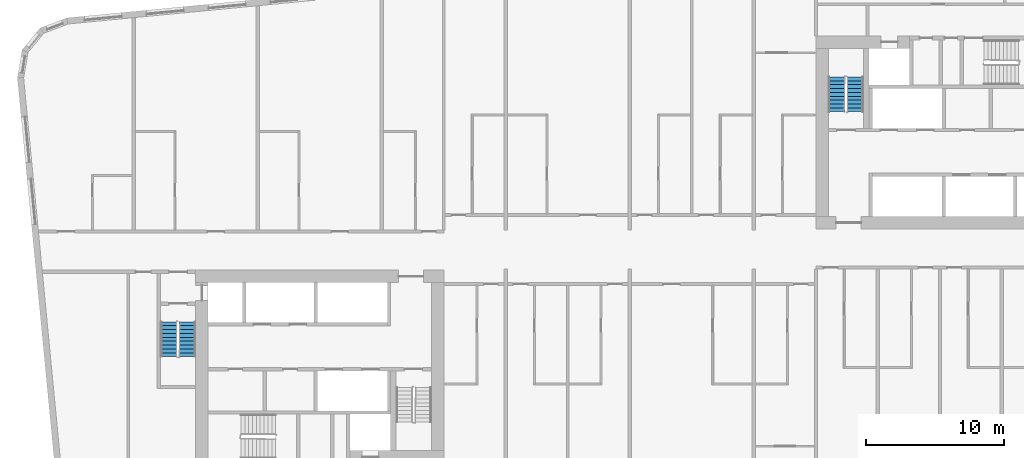
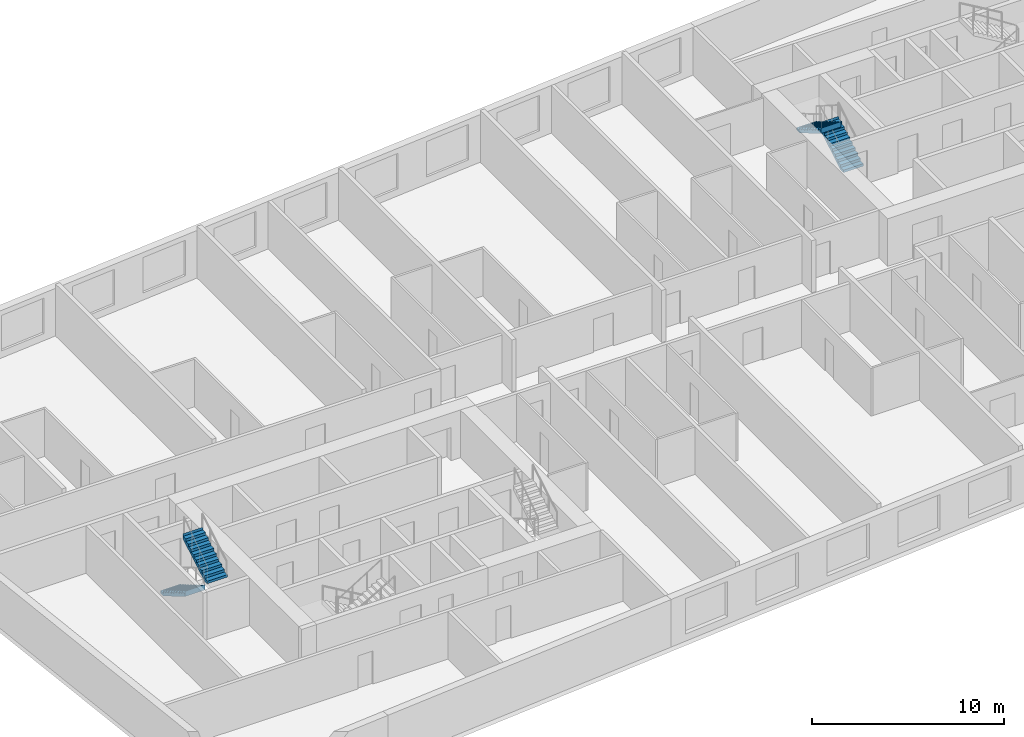
# One storey, part 10 of 12: 4 stair flights, 2 elements without a shape of their own.
"""IFC4 building model written with IfcOpenShell, lengths in metres."""

from ifc_helpers import new_model, si_unit, direction, frame, origin, place, context, subcontext, project, spatial, faceted_brep, material, type_object, element, aggregate, save


model = new_model("IFC4")

# Units and contexts
model_context = context("Model", 3, precision=1e-05, world=origin(), true_north=direction((0.0, 1.0)))
body_context = subcontext(model_context, "Body", "Model", "MODEL_VIEW")
ifc_project = project(units=[si_unit("LENGTHUNIT", "METRE"), si_unit("AREAUNIT", "SQUARE_METRE"), si_unit("VOLUMEUNIT", "CUBIC_METRE"), si_unit("PLANEANGLEUNIT", "RADIAN"), si_unit("MASSUNIT", "GRAM", prefix="KILO")], contexts=[model_context])

# Site, building, storey
site_placement = place(None, origin())
site = spatial("IfcSite", under=ifc_project, at=site_placement, CompositionType="ELEMENT")
building_placement = place(site_placement, origin())
building = spatial("IfcBuilding", under=site, at=building_placement, Name="Kajstack Hotel Tower", CompositionType="ELEMENT")
storey_placement = place(building_placement, frame((0.0, 0.0, 193.300048828125)))
storey = spatial("IfcBuildingStorey", under=building, at=storey_placement, Name="L46", CompositionType="ELEMENT", Elevation=193.300048828125)

# Stair, stair flights
ifc_material = material(Name="Concrete C40/50", Category="concrete")
stair_type = type_object("IfcStairType", Name="Exit stair 1200", PredefinedType="HALF_TURN_STAIR", material=ifc_material)
stair_1_placement = place(storey_placement, origin())
stair_1 = element("IfcStair", 1, at=stair_1_placement, inside=storey, type_object=stair_type, Name="L46 stair W1", PredefinedType="HALF_TURN_STAIR")
stair_flight_type = type_object("IfcStairFlightType", Name="Exit stair flight 1200", PredefinedType="STRAIGHT", material=ifc_material)
stair_flight_1_placement = place(storey_placement, frame((-33.449951171875, -5.25, 0.0), z_axis=(0.0, 0.0, 1.0), x_axis=(0.0, -1.0, 0.0)))
stair_flight_1 = element("IfcStairFlight", 2, at=stair_flight_1_placement, type_object=stair_flight_type, Name="W1 flight 1", NumberOfRisers=10, NumberOfTreads=9, PredefinedType="STRAIGHT", RiserHeight=0.165, TreadLength=0.28, context=body_context, shape_type="Brep", body=[
    faceted_brep([(0.295654296875, -0.60009765625, 0.0), (2.5205078125, -0.60009765625, 1.31103515625), (2.5205078125, -0.60009765625, 1.64990234375), (2.52001953125, -0.60009765625, 1.64990234375), (2.52001953125, -0.60009765625, 1.485107421875), (2.239990234375, -0.60009765625, 1.485107421875), (2.239990234375, -0.60009765625, 1.320068359375), (1.9599609375, -0.60009765625, 1.320068359375), (1.9599609375, -0.60009765625, 1.155029296875), (1.679931640625, -0.60009765625, 1.155029296875), (1.679931640625, -0.60009765625, 0.989990234375), (1.39990234375, -0.60009765625, 0.989990234375), (1.39990234375, -0.60009765625, 0.824951171875), (1.1201171875, -0.60009765625, 0.824951171875), (1.1201171875, -0.60009765625, 0.659912109375), (0.840087890625, -0.60009765625, 0.659912109375), (0.840087890625, -0.60009765625, 0.4951171875), (0.56005859375, -0.60009765625, 0.4951171875), (0.56005859375, -0.60009765625, 0.330078125), (0.280029296875, -0.60009765625, 0.330078125), (0.280029296875, -0.60009765625, 0.1650390625), (-0.00048828125, -0.60009765625, 0.1650390625), (-0.00048828125, -0.60009765625, 0.0), (-0.00048828125, 0.60009765625, 0.0), (-0.00048828125, 0.60009765625, 0.1650390625), (0.280029296875, 0.60009765625, 0.1650390625), (0.280029296875, 0.60009765625, 0.330078125), (0.56005859375, 0.60009765625, 0.330078125), (0.56005859375, 0.60009765625, 0.4951171875), (0.840087890625, 0.60009765625, 0.4951171875), (0.840087890625, 0.60009765625, 0.659912109375), (1.1201171875, 0.60009765625, 0.659912109375), (1.1201171875, 0.60009765625, 0.824951171875), (1.39990234375, 0.60009765625, 0.824951171875), (1.39990234375, 0.60009765625, 0.989990234375), (1.679931640625, 0.60009765625, 0.989990234375), (1.679931640625, 0.60009765625, 1.155029296875), (1.9599609375, 0.60009765625, 1.155029296875), (1.9599609375, 0.60009765625, 1.320068359375), (2.239990234375, 0.60009765625, 1.320068359375), (2.239990234375, 0.60009765625, 1.485107421875), (2.52001953125, 0.60009765625, 1.485107421875), (2.52001953125, 0.60009765625, 1.64990234375), (2.5205078125, 0.60009765625, 1.64990234375), (2.5205078125, 0.60009765625, 1.31103515625), (0.295654296875, 0.60009765625, 0.0), (-0.00048828125, -0.300048828125, 0.1650390625), (-0.00048828125, 0.0, 0.1650390625), (-0.00048828125, 0.300048828125, 0.1650390625), (-0.00048828125, 0.300048828125, 0.0), (-0.00048828125, 0.0, 0.0), (-0.00048828125, -0.300048828125, 0.0), (0.280029296875, -0.300048828125, 0.1650390625), (0.280029296875, 0.0, 0.1650390625), (0.280029296875, 0.300048828125, 0.1650390625), (0.280029296875, -0.300048828125, 0.330078125), (0.280029296875, 0.0, 0.330078125), (0.280029296875, 0.300048828125, 0.330078125), (0.56005859375, -0.300048828125, 0.330078125), (0.56005859375, 0.0, 0.330078125), (0.56005859375, 0.300048828125, 0.330078125), (0.56005859375, -0.300048828125, 0.4951171875), (0.56005859375, 0.0, 0.4951171875), (0.56005859375, 0.300048828125, 0.4951171875), (0.840087890625, -0.300048828125, 0.4951171875), (0.840087890625, 0.0, 0.4951171875), (0.840087890625, 0.300048828125, 0.4951171875), (0.840087890625, -0.300048828125, 0.659912109375), (0.840087890625, 0.0, 0.659912109375), (0.840087890625, 0.300048828125, 0.659912109375), (1.1201171875, -0.300048828125, 0.659912109375), (1.1201171875, 0.0, 0.659912109375), (1.1201171875, 0.300048828125, 0.659912109375), (1.1201171875, -0.300048828125, 0.824951171875), (1.1201171875, 0.0, 0.824951171875), (1.1201171875, 0.300048828125, 0.824951171875), (1.39990234375, -0.300048828125, 0.824951171875), (1.39990234375, 0.0, 0.824951171875), (1.39990234375, 0.300048828125, 0.824951171875), (1.39990234375, -0.300048828125, 0.989990234375), (1.39990234375, 0.0, 0.989990234375), (1.39990234375, 0.300048828125, 0.989990234375), (1.679931640625, -0.300048828125, 0.989990234375), (1.679931640625, 0.0, 0.989990234375), (1.679931640625, 0.300048828125, 0.989990234375), (1.679931640625, -0.300048828125, 1.155029296875), (1.679931640625, 0.0, 1.155029296875), (1.679931640625, 0.300048828125, 1.155029296875), (1.9599609375, -0.300048828125, 1.155029296875), (1.9599609375, 0.0, 1.155029296875), (1.9599609375, 0.300048828125, 1.155029296875), (1.9599609375, -0.300048828125, 1.320068359375), (1.9599609375, 0.0, 1.320068359375), (1.9599609375, 0.300048828125, 1.320068359375), (2.239990234375, -0.300048828125, 1.320068359375), (2.239990234375, 0.0, 1.320068359375), (2.239990234375, 0.300048828125, 1.320068359375), (2.239990234375, -0.300048828125, 1.485107421875), (2.239990234375, 0.0, 1.485107421875), (2.239990234375, 0.300048828125, 1.485107421875), (2.52001953125, -0.300048828125, 1.485107421875), (2.52001953125, 0.0, 1.485107421875), (2.52001953125, 0.300048828125, 1.485107421875), (2.52001953125, -0.300048828125, 1.64990234375), (2.52001953125, 0.0, 1.64990234375), (2.52001953125, 0.300048828125, 1.64990234375), (2.5205078125, -0.300048828125, 1.64990234375), (2.5205078125, 0.0, 1.64990234375), (2.5205078125, 0.300048828125, 1.64990234375), (2.5205078125, -0.300048828125, 1.31103515625), (2.5205078125, 0.0, 1.31103515625), (2.5205078125, 0.300048828125, 1.31103515625), (0.295654296875, -0.300048828125, 0.0), (0.295654296875, 0.0, 0.0), (0.295654296875, 0.300048828125, 0.0)], [[[0, 1, 2, 3, 4, 5, 6, 7, 8, 9, 10, 11, 12, 13, 14, 15, 16, 17, 18, 19, 20, 21, 22]], [[23, 24, 25, 26, 27, 28, 29, 30, 31, 32, 33, 34, 35, 36, 37, 38, 39, 40, 41, 42, 43, 44, 45]], [[21, 46, 47, 48, 24, 23, 49, 50, 51, 22]], [[20, 52, 53, 54, 25, 24, 48, 47, 46, 21]], [[19, 55, 56, 57, 26, 25, 54, 53, 52, 20]], [[18, 58, 59, 60, 27, 26, 57, 56, 55, 19]], [[17, 61, 62, 63, 28, 27, 60, 59, 58, 18]], [[16, 64, 65, 66, 29, 28, 63, 62, 61, 17]], [[15, 67, 68, 69, 30, 29, 66, 65, 64, 16]], [[14, 70, 71, 72, 31, 30, 69, 68, 67, 15]], [[13, 73, 74, 75, 32, 31, 72, 71, 70, 14]], [[12, 76, 77, 78, 33, 32, 75, 74, 73, 13]], [[11, 79, 80, 81, 34, 33, 78, 77, 76, 12]], [[10, 82, 83, 84, 35, 34, 81, 80, 79, 11]], [[9, 85, 86, 87, 36, 35, 84, 83, 82, 10]], [[8, 88, 89, 90, 37, 36, 87, 86, 85, 9]], [[7, 91, 92, 93, 38, 37, 90, 89, 88, 8]], [[6, 94, 95, 96, 39, 38, 93, 92, 91, 7]], [[5, 97, 98, 99, 40, 39, 96, 95, 94, 6]], [[4, 100, 101, 102, 41, 40, 99, 98, 97, 5]], [[3, 103, 104, 105, 42, 41, 102, 101, 100, 4]], [[2, 106, 107, 108, 43, 42, 105, 104, 103, 3]], [[1, 109, 110, 111, 44, 43, 108, 107, 106, 2]], [[0, 112, 113, 114, 45, 44, 111, 110, 109, 1]], [[22, 51, 50, 49, 23, 45, 114, 113, 112, 0]]]),
])
stair_flight_2_placement = place(storey_placement, frame((-32.10009765625, -7.77001953125, 1.64990234375), z_axis=(0.0, 0.0, 1.0), x_axis=(0.0, 1.0, 0.0)))
stair_flight_2 = element("IfcStairFlight", 3, at=stair_flight_2_placement, type_object=stair_flight_type, Name="W1 flight 2", NumberOfRisers=10, NumberOfTreads=9, PredefinedType="STRAIGHT", RiserHeight=0.165, TreadLength=0.28, context=body_context, shape_type="Brep", body=[
    faceted_brep([(0.295654296875, -0.60009765625, 0.0), (2.5205078125, -0.60009765625, 1.31103515625), (2.5205078125, -0.60009765625, 1.64990234375), (2.52001953125, -0.60009765625, 1.64990234375), (2.52001953125, -0.60009765625, 1.485107421875), (2.239990234375, -0.60009765625, 1.485107421875), (2.239990234375, -0.60009765625, 1.320068359375), (1.9599609375, -0.60009765625, 1.320068359375), (1.9599609375, -0.60009765625, 1.155029296875), (1.679931640625, -0.60009765625, 1.155029296875), (1.679931640625, -0.60009765625, 0.989990234375), (1.39990234375, -0.60009765625, 0.989990234375), (1.39990234375, -0.60009765625, 0.824951171875), (1.1201171875, -0.60009765625, 0.824951171875), (1.1201171875, -0.60009765625, 0.659912109375), (0.840087890625, -0.60009765625, 0.659912109375), (0.840087890625, -0.60009765625, 0.4951171875), (0.56005859375, -0.60009765625, 0.4951171875), (0.56005859375, -0.60009765625, 0.330078125), (0.280029296875, -0.60009765625, 0.330078125), (0.280029296875, -0.60009765625, 0.1650390625), (-0.00048828125, -0.60009765625, 0.1650390625), (-0.00048828125, -0.60009765625, 0.0), (-0.00048828125, 0.60009765625, 0.0), (-0.00048828125, 0.60009765625, 0.1650390625), (0.280029296875, 0.60009765625, 0.1650390625), (0.280029296875, 0.60009765625, 0.330078125), (0.56005859375, 0.60009765625, 0.330078125), (0.56005859375, 0.60009765625, 0.4951171875), (0.840087890625, 0.60009765625, 0.4951171875), (0.840087890625, 0.60009765625, 0.659912109375), (1.1201171875, 0.60009765625, 0.659912109375), (1.1201171875, 0.60009765625, 0.824951171875), (1.39990234375, 0.60009765625, 0.824951171875), (1.39990234375, 0.60009765625, 0.989990234375), (1.679931640625, 0.60009765625, 0.989990234375), (1.679931640625, 0.60009765625, 1.155029296875), (1.9599609375, 0.60009765625, 1.155029296875), (1.9599609375, 0.60009765625, 1.320068359375), (2.239990234375, 0.60009765625, 1.320068359375), (2.239990234375, 0.60009765625, 1.485107421875), (2.52001953125, 0.60009765625, 1.485107421875), (2.52001953125, 0.60009765625, 1.64990234375), (2.5205078125, 0.60009765625, 1.64990234375), (2.5205078125, 0.60009765625, 1.31103515625), (0.295654296875, 0.60009765625, 0.0), (-0.00048828125, -0.300048828125, 0.1650390625), (-0.00048828125, 0.0, 0.1650390625), (-0.00048828125, 0.300048828125, 0.1650390625), (-0.00048828125, 0.300048828125, 0.0), (-0.00048828125, 0.0, 0.0), (-0.00048828125, -0.300048828125, 0.0), (0.280029296875, -0.300048828125, 0.1650390625), (0.280029296875, 0.0, 0.1650390625), (0.280029296875, 0.300048828125, 0.1650390625), (0.280029296875, -0.300048828125, 0.330078125), (0.280029296875, 0.0, 0.330078125), (0.280029296875, 0.300048828125, 0.330078125), (0.56005859375, -0.300048828125, 0.330078125), (0.56005859375, 0.0, 0.330078125), (0.56005859375, 0.300048828125, 0.330078125), (0.56005859375, -0.300048828125, 0.4951171875), (0.56005859375, 0.0, 0.4951171875), (0.56005859375, 0.300048828125, 0.4951171875), (0.840087890625, -0.300048828125, 0.4951171875), (0.840087890625, 0.0, 0.4951171875), (0.840087890625, 0.300048828125, 0.4951171875), (0.840087890625, -0.300048828125, 0.659912109375), (0.840087890625, 0.0, 0.659912109375), (0.840087890625, 0.300048828125, 0.659912109375), (1.1201171875, -0.300048828125, 0.659912109375), (1.1201171875, 0.0, 0.659912109375), (1.1201171875, 0.300048828125, 0.659912109375), (1.1201171875, -0.300048828125, 0.824951171875), (1.1201171875, 0.0, 0.824951171875), (1.1201171875, 0.300048828125, 0.824951171875), (1.39990234375, -0.300048828125, 0.824951171875), (1.39990234375, 0.0, 0.824951171875), (1.39990234375, 0.300048828125, 0.824951171875), (1.39990234375, -0.300048828125, 0.989990234375), (1.39990234375, 0.0, 0.989990234375), (1.39990234375, 0.300048828125, 0.989990234375), (1.679931640625, -0.300048828125, 0.989990234375), (1.679931640625, 0.0, 0.989990234375), (1.679931640625, 0.300048828125, 0.989990234375), (1.679931640625, -0.300048828125, 1.155029296875), (1.679931640625, 0.0, 1.155029296875), (1.679931640625, 0.300048828125, 1.155029296875), (1.9599609375, -0.300048828125, 1.155029296875), (1.9599609375, 0.0, 1.155029296875), (1.9599609375, 0.300048828125, 1.155029296875), (1.9599609375, -0.300048828125, 1.320068359375), (1.9599609375, 0.0, 1.320068359375), (1.9599609375, 0.300048828125, 1.320068359375), (2.239990234375, -0.300048828125, 1.320068359375), (2.239990234375, 0.0, 1.320068359375), (2.239990234375, 0.300048828125, 1.320068359375), (2.239990234375, -0.300048828125, 1.485107421875), (2.239990234375, 0.0, 1.485107421875), (2.239990234375, 0.300048828125, 1.485107421875), (2.52001953125, -0.300048828125, 1.485107421875), (2.52001953125, 0.0, 1.485107421875), (2.52001953125, 0.300048828125, 1.485107421875), (2.52001953125, -0.300048828125, 1.64990234375), (2.52001953125, 0.0, 1.64990234375), (2.52001953125, 0.300048828125, 1.64990234375), (2.5205078125, -0.300048828125, 1.64990234375), (2.5205078125, 0.0, 1.64990234375), (2.5205078125, 0.300048828125, 1.64990234375), (2.5205078125, -0.300048828125, 1.31103515625), (2.5205078125, 0.0, 1.31103515625), (2.5205078125, 0.300048828125, 1.31103515625), (0.295654296875, -0.300048828125, 0.0), (0.295654296875, 0.0, 0.0), (0.295654296875, 0.300048828125, 0.0)], [[[0, 1, 2, 3, 4, 5, 6, 7, 8, 9, 10, 11, 12, 13, 14, 15, 16, 17, 18, 19, 20, 21, 22]], [[23, 24, 25, 26, 27, 28, 29, 30, 31, 32, 33, 34, 35, 36, 37, 38, 39, 40, 41, 42, 43, 44, 45]], [[21, 46, 47, 48, 24, 23, 49, 50, 51, 22]], [[20, 52, 53, 54, 25, 24, 48, 47, 46, 21]], [[19, 55, 56, 57, 26, 25, 54, 53, 52, 20]], [[18, 58, 59, 60, 27, 26, 57, 56, 55, 19]], [[17, 61, 62, 63, 28, 27, 60, 59, 58, 18]], [[16, 64, 65, 66, 29, 28, 63, 62, 61, 17]], [[15, 67, 68, 69, 30, 29, 66, 65, 64, 16]], [[14, 70, 71, 72, 31, 30, 69, 68, 67, 15]], [[13, 73, 74, 75, 32, 31, 72, 71, 70, 14]], [[12, 76, 77, 78, 33, 32, 75, 74, 73, 13]], [[11, 79, 80, 81, 34, 33, 78, 77, 76, 12]], [[10, 82, 83, 84, 35, 34, 81, 80, 79, 11]], [[9, 85, 86, 87, 36, 35, 84, 83, 82, 10]], [[8, 88, 89, 90, 37, 36, 87, 86, 85, 9]], [[7, 91, 92, 93, 38, 37, 90, 89, 88, 8]], [[6, 94, 95, 96, 39, 38, 93, 92, 91, 7]], [[5, 97, 98, 99, 40, 39, 96, 95, 94, 6]], [[4, 100, 101, 102, 41, 40, 99, 98, 97, 5]], [[3, 103, 104, 105, 42, 41, 102, 101, 100, 4]], [[2, 106, 107, 108, 43, 42, 105, 104, 103, 3]], [[1, 109, 110, 111, 44, 43, 108, 107, 106, 2]], [[0, 112, 113, 114, 45, 44, 111, 110, 109, 1]], [[22, 51, 50, 49, 23, 45, 114, 113, 112, 0]]]),
])
aggregate(stair_1, [stair_flight_1, stair_flight_2])

stair_2_placement = place(storey_placement, origin())
stair_2 = element("IfcStair", 4, at=stair_2_placement, inside=storey, type_object=stair_type, Name="L46 stair E2", PredefinedType="HALF_TURN_STAIR")
stair_flight_3_placement = place(storey_placement, frame((16.35009765625, 10.0, 0.0), z_axis=(0.0, 0.0, 1.0), x_axis=(0.0, 1.0, 0.0)))
stair_flight_3 = element("IfcStairFlight", 5, at=stair_flight_3_placement, type_object=stair_flight_type, Name="E2 flight 1", NumberOfRisers=10, NumberOfTreads=9, PredefinedType="STRAIGHT", RiserHeight=0.165, TreadLength=0.28, context=body_context, shape_type="Brep", body=[
    faceted_brep([(0.295654296875, -0.60009765625, 0.0), (2.5205078125, -0.60009765625, 1.31103515625), (2.5205078125, -0.60009765625, 1.64990234375), (2.52001953125, -0.60009765625, 1.64990234375), (2.52001953125, -0.60009765625, 1.485107421875), (2.239990234375, -0.60009765625, 1.485107421875), (2.239990234375, -0.60009765625, 1.320068359375), (1.9599609375, -0.60009765625, 1.320068359375), (1.9599609375, -0.60009765625, 1.155029296875), (1.679931640625, -0.60009765625, 1.155029296875), (1.679931640625, -0.60009765625, 0.989990234375), (1.39990234375, -0.60009765625, 0.989990234375), (1.39990234375, -0.60009765625, 0.824951171875), (1.1201171875, -0.60009765625, 0.824951171875), (1.1201171875, -0.60009765625, 0.659912109375), (0.840087890625, -0.60009765625, 0.659912109375), (0.840087890625, -0.60009765625, 0.4951171875), (0.56005859375, -0.60009765625, 0.4951171875), (0.56005859375, -0.60009765625, 0.330078125), (0.280029296875, -0.60009765625, 0.330078125), (0.280029296875, -0.60009765625, 0.1650390625), (-0.00048828125, -0.60009765625, 0.1650390625), (-0.00048828125, -0.60009765625, 0.0), (-0.00048828125, 0.60009765625, 0.0), (-0.00048828125, 0.60009765625, 0.1650390625), (0.280029296875, 0.60009765625, 0.1650390625), (0.280029296875, 0.60009765625, 0.330078125), (0.56005859375, 0.60009765625, 0.330078125), (0.56005859375, 0.60009765625, 0.4951171875), (0.840087890625, 0.60009765625, 0.4951171875), (0.840087890625, 0.60009765625, 0.659912109375), (1.1201171875, 0.60009765625, 0.659912109375), (1.1201171875, 0.60009765625, 0.824951171875), (1.39990234375, 0.60009765625, 0.824951171875), (1.39990234375, 0.60009765625, 0.989990234375), (1.679931640625, 0.60009765625, 0.989990234375), (1.679931640625, 0.60009765625, 1.155029296875), (1.9599609375, 0.60009765625, 1.155029296875), (1.9599609375, 0.60009765625, 1.320068359375), (2.239990234375, 0.60009765625, 1.320068359375), (2.239990234375, 0.60009765625, 1.485107421875), (2.52001953125, 0.60009765625, 1.485107421875), (2.52001953125, 0.60009765625, 1.64990234375), (2.5205078125, 0.60009765625, 1.64990234375), (2.5205078125, 0.60009765625, 1.31103515625), (0.295654296875, 0.60009765625, 0.0), (-0.00048828125, -0.300048828125, 0.1650390625), (-0.00048828125, 0.0, 0.1650390625), (-0.00048828125, 0.300048828125, 0.1650390625), (-0.00048828125, 0.300048828125, 0.0), (-0.00048828125, 0.0, 0.0), (-0.00048828125, -0.300048828125, 0.0), (0.280029296875, -0.300048828125, 0.1650390625), (0.280029296875, 0.0, 0.1650390625), (0.280029296875, 0.300048828125, 0.1650390625), (0.280029296875, -0.300048828125, 0.330078125), (0.280029296875, 0.0, 0.330078125), (0.280029296875, 0.300048828125, 0.330078125), (0.56005859375, -0.300048828125, 0.330078125), (0.56005859375, 0.0, 0.330078125), (0.56005859375, 0.300048828125, 0.330078125), (0.56005859375, -0.300048828125, 0.4951171875), (0.56005859375, 0.0, 0.4951171875), (0.56005859375, 0.300048828125, 0.4951171875), (0.840087890625, -0.300048828125, 0.4951171875), (0.840087890625, 0.0, 0.4951171875), (0.840087890625, 0.300048828125, 0.4951171875), (0.840087890625, -0.300048828125, 0.659912109375), (0.840087890625, 0.0, 0.659912109375), (0.840087890625, 0.300048828125, 0.659912109375), (1.1201171875, -0.300048828125, 0.659912109375), (1.1201171875, 0.0, 0.659912109375), (1.1201171875, 0.300048828125, 0.659912109375), (1.1201171875, -0.300048828125, 0.824951171875), (1.1201171875, 0.0, 0.824951171875), (1.1201171875, 0.300048828125, 0.824951171875), (1.39990234375, -0.300048828125, 0.824951171875), (1.39990234375, 0.0, 0.824951171875), (1.39990234375, 0.300048828125, 0.824951171875), (1.39990234375, -0.300048828125, 0.989990234375), (1.39990234375, 0.0, 0.989990234375), (1.39990234375, 0.300048828125, 0.989990234375), (1.679931640625, -0.300048828125, 0.989990234375), (1.679931640625, 0.0, 0.989990234375), (1.679931640625, 0.300048828125, 0.989990234375), (1.679931640625, -0.300048828125, 1.155029296875), (1.679931640625, 0.0, 1.155029296875), (1.679931640625, 0.300048828125, 1.155029296875), (1.9599609375, -0.300048828125, 1.155029296875), (1.9599609375, 0.0, 1.155029296875), (1.9599609375, 0.300048828125, 1.155029296875), (1.9599609375, -0.300048828125, 1.320068359375), (1.9599609375, 0.0, 1.320068359375), (1.9599609375, 0.300048828125, 1.320068359375), (2.239990234375, -0.300048828125, 1.320068359375), (2.239990234375, 0.0, 1.320068359375), (2.239990234375, 0.300048828125, 1.320068359375), (2.239990234375, -0.300048828125, 1.485107421875), (2.239990234375, 0.0, 1.485107421875), (2.239990234375, 0.300048828125, 1.485107421875), (2.52001953125, -0.300048828125, 1.485107421875), (2.52001953125, 0.0, 1.485107421875), (2.52001953125, 0.300048828125, 1.485107421875), (2.52001953125, -0.300048828125, 1.64990234375), (2.52001953125, 0.0, 1.64990234375), (2.52001953125, 0.300048828125, 1.64990234375), (2.5205078125, -0.300048828125, 1.64990234375), (2.5205078125, 0.0, 1.64990234375), (2.5205078125, 0.300048828125, 1.64990234375), (2.5205078125, -0.300048828125, 1.31103515625), (2.5205078125, 0.0, 1.31103515625), (2.5205078125, 0.300048828125, 1.31103515625), (0.295654296875, -0.300048828125, 0.0), (0.295654296875, 0.0, 0.0), (0.295654296875, 0.300048828125, 0.0)], [[[0, 1, 2, 3, 4, 5, 6, 7, 8, 9, 10, 11, 12, 13, 14, 15, 16, 17, 18, 19, 20, 21, 22]], [[23, 24, 25, 26, 27, 28, 29, 30, 31, 32, 33, 34, 35, 36, 37, 38, 39, 40, 41, 42, 43, 44, 45]], [[21, 46, 47, 48, 24, 23, 49, 50, 51, 22]], [[20, 52, 53, 54, 25, 24, 48, 47, 46, 21]], [[19, 55, 56, 57, 26, 25, 54, 53, 52, 20]], [[18, 58, 59, 60, 27, 26, 57, 56, 55, 19]], [[17, 61, 62, 63, 28, 27, 60, 59, 58, 18]], [[16, 64, 65, 66, 29, 28, 63, 62, 61, 17]], [[15, 67, 68, 69, 30, 29, 66, 65, 64, 16]], [[14, 70, 71, 72, 31, 30, 69, 68, 67, 15]], [[13, 73, 74, 75, 32, 31, 72, 71, 70, 14]], [[12, 76, 77, 78, 33, 32, 75, 74, 73, 13]], [[11, 79, 80, 81, 34, 33, 78, 77, 76, 12]], [[10, 82, 83, 84, 35, 34, 81, 80, 79, 11]], [[9, 85, 86, 87, 36, 35, 84, 83, 82, 10]], [[8, 88, 89, 90, 37, 36, 87, 86, 85, 9]], [[7, 91, 92, 93, 38, 37, 90, 89, 88, 8]], [[6, 94, 95, 96, 39, 38, 93, 92, 91, 7]], [[5, 97, 98, 99, 40, 39, 96, 95, 94, 6]], [[4, 100, 101, 102, 41, 40, 99, 98, 97, 5]], [[3, 103, 104, 105, 42, 41, 102, 101, 100, 4]], [[2, 106, 107, 108, 43, 42, 105, 104, 103, 3]], [[1, 109, 110, 111, 44, 43, 108, 107, 106, 2]], [[0, 112, 113, 114, 45, 44, 111, 110, 109, 1]], [[22, 51, 50, 49, 23, 45, 114, 113, 112, 0]]]),
])
stair_flight_4_placement = place(storey_placement, frame((15.0, 12.52001953125, 1.64990234375), z_axis=(0.0, 0.0, 1.0), x_axis=(0.0, -1.0, 0.0)))
stair_flight_4 = element("IfcStairFlight", 6, at=stair_flight_4_placement, type_object=stair_flight_type, Name="E2 flight 2", NumberOfRisers=10, NumberOfTreads=9, PredefinedType="STRAIGHT", RiserHeight=0.165, TreadLength=0.28, context=body_context, shape_type="Brep", body=[
    faceted_brep([(0.295654296875, -0.60009765625, 0.0), (2.5205078125, -0.60009765625, 1.31103515625), (2.5205078125, -0.60009765625, 1.64990234375), (2.52001953125, -0.60009765625, 1.64990234375), (2.52001953125, -0.60009765625, 1.485107421875), (2.239990234375, -0.60009765625, 1.485107421875), (2.239990234375, -0.60009765625, 1.320068359375), (1.9599609375, -0.60009765625, 1.320068359375), (1.9599609375, -0.60009765625, 1.155029296875), (1.679931640625, -0.60009765625, 1.155029296875), (1.679931640625, -0.60009765625, 0.989990234375), (1.39990234375, -0.60009765625, 0.989990234375), (1.39990234375, -0.60009765625, 0.824951171875), (1.1201171875, -0.60009765625, 0.824951171875), (1.1201171875, -0.60009765625, 0.659912109375), (0.840087890625, -0.60009765625, 0.659912109375), (0.840087890625, -0.60009765625, 0.4951171875), (0.56005859375, -0.60009765625, 0.4951171875), (0.56005859375, -0.60009765625, 0.330078125), (0.280029296875, -0.60009765625, 0.330078125), (0.280029296875, -0.60009765625, 0.1650390625), (-0.00048828125, -0.60009765625, 0.1650390625), (-0.00048828125, -0.60009765625, 0.0), (-0.00048828125, 0.60009765625, 0.0), (-0.00048828125, 0.60009765625, 0.1650390625), (0.280029296875, 0.60009765625, 0.1650390625), (0.280029296875, 0.60009765625, 0.330078125), (0.56005859375, 0.60009765625, 0.330078125), (0.56005859375, 0.60009765625, 0.4951171875), (0.840087890625, 0.60009765625, 0.4951171875), (0.840087890625, 0.60009765625, 0.659912109375), (1.1201171875, 0.60009765625, 0.659912109375), (1.1201171875, 0.60009765625, 0.824951171875), (1.39990234375, 0.60009765625, 0.824951171875), (1.39990234375, 0.60009765625, 0.989990234375), (1.679931640625, 0.60009765625, 0.989990234375), (1.679931640625, 0.60009765625, 1.155029296875), (1.9599609375, 0.60009765625, 1.155029296875), (1.9599609375, 0.60009765625, 1.320068359375), (2.239990234375, 0.60009765625, 1.320068359375), (2.239990234375, 0.60009765625, 1.485107421875), (2.52001953125, 0.60009765625, 1.485107421875), (2.52001953125, 0.60009765625, 1.64990234375), (2.5205078125, 0.60009765625, 1.64990234375), (2.5205078125, 0.60009765625, 1.31103515625), (0.295654296875, 0.60009765625, 0.0), (-0.00048828125, -0.300048828125, 0.1650390625), (-0.00048828125, 0.0, 0.1650390625), (-0.00048828125, 0.300048828125, 0.1650390625), (-0.00048828125, 0.300048828125, 0.0), (-0.00048828125, 0.0, 0.0), (-0.00048828125, -0.300048828125, 0.0), (0.280029296875, -0.300048828125, 0.1650390625), (0.280029296875, 0.0, 0.1650390625), (0.280029296875, 0.300048828125, 0.1650390625), (0.280029296875, -0.300048828125, 0.330078125), (0.280029296875, 0.0, 0.330078125), (0.280029296875, 0.300048828125, 0.330078125), (0.56005859375, -0.300048828125, 0.330078125), (0.56005859375, 0.0, 0.330078125), (0.56005859375, 0.300048828125, 0.330078125), (0.56005859375, -0.300048828125, 0.4951171875), (0.56005859375, 0.0, 0.4951171875), (0.56005859375, 0.300048828125, 0.4951171875), (0.840087890625, -0.300048828125, 0.4951171875), (0.840087890625, 0.0, 0.4951171875), (0.840087890625, 0.300048828125, 0.4951171875), (0.840087890625, -0.300048828125, 0.659912109375), (0.840087890625, 0.0, 0.659912109375), (0.840087890625, 0.300048828125, 0.659912109375), (1.1201171875, -0.300048828125, 0.659912109375), (1.1201171875, 0.0, 0.659912109375), (1.1201171875, 0.300048828125, 0.659912109375), (1.1201171875, -0.300048828125, 0.824951171875), (1.1201171875, 0.0, 0.824951171875), (1.1201171875, 0.300048828125, 0.824951171875), (1.39990234375, -0.300048828125, 0.824951171875), (1.39990234375, 0.0, 0.824951171875), (1.39990234375, 0.300048828125, 0.824951171875), (1.39990234375, -0.300048828125, 0.989990234375), (1.39990234375, 0.0, 0.989990234375), (1.39990234375, 0.300048828125, 0.989990234375), (1.679931640625, -0.300048828125, 0.989990234375), (1.679931640625, 0.0, 0.989990234375), (1.679931640625, 0.300048828125, 0.989990234375), (1.679931640625, -0.300048828125, 1.155029296875), (1.679931640625, 0.0, 1.155029296875), (1.679931640625, 0.300048828125, 1.155029296875), (1.9599609375, -0.300048828125, 1.155029296875), (1.9599609375, 0.0, 1.155029296875), (1.9599609375, 0.300048828125, 1.155029296875), (1.9599609375, -0.300048828125, 1.320068359375), (1.9599609375, 0.0, 1.320068359375), (1.9599609375, 0.300048828125, 1.320068359375), (2.239990234375, -0.300048828125, 1.320068359375), (2.239990234375, 0.0, 1.320068359375), (2.239990234375, 0.300048828125, 1.320068359375), (2.239990234375, -0.300048828125, 1.485107421875), (2.239990234375, 0.0, 1.485107421875), (2.239990234375, 0.300048828125, 1.485107421875), (2.52001953125, -0.300048828125, 1.485107421875), (2.52001953125, 0.0, 1.485107421875), (2.52001953125, 0.300048828125, 1.485107421875), (2.52001953125, -0.300048828125, 1.64990234375), (2.52001953125, 0.0, 1.64990234375), (2.52001953125, 0.300048828125, 1.64990234375), (2.5205078125, -0.300048828125, 1.64990234375), (2.5205078125, 0.0, 1.64990234375), (2.5205078125, 0.300048828125, 1.64990234375), (2.5205078125, -0.300048828125, 1.31103515625), (2.5205078125, 0.0, 1.31103515625), (2.5205078125, 0.300048828125, 1.31103515625), (0.295654296875, -0.300048828125, 0.0), (0.295654296875, 0.0, 0.0), (0.295654296875, 0.300048828125, 0.0)], [[[0, 1, 2, 3, 4, 5, 6, 7, 8, 9, 10, 11, 12, 13, 14, 15, 16, 17, 18, 19, 20, 21, 22]], [[23, 24, 25, 26, 27, 28, 29, 30, 31, 32, 33, 34, 35, 36, 37, 38, 39, 40, 41, 42, 43, 44, 45]], [[21, 46, 47, 48, 24, 23, 49, 50, 51, 22]], [[20, 52, 53, 54, 25, 24, 48, 47, 46, 21]], [[19, 55, 56, 57, 26, 25, 54, 53, 52, 20]], [[18, 58, 59, 60, 27, 26, 57, 56, 55, 19]], [[17, 61, 62, 63, 28, 27, 60, 59, 58, 18]], [[16, 64, 65, 66, 29, 28, 63, 62, 61, 17]], [[15, 67, 68, 69, 30, 29, 66, 65, 64, 16]], [[14, 70, 71, 72, 31, 30, 69, 68, 67, 15]], [[13, 73, 74, 75, 32, 31, 72, 71, 70, 14]], [[12, 76, 77, 78, 33, 32, 75, 74, 73, 13]], [[11, 79, 80, 81, 34, 33, 78, 77, 76, 12]], [[10, 82, 83, 84, 35, 34, 81, 80, 79, 11]], [[9, 85, 86, 87, 36, 35, 84, 83, 82, 10]], [[8, 88, 89, 90, 37, 36, 87, 86, 85, 9]], [[7, 91, 92, 93, 38, 37, 90, 89, 88, 8]], [[6, 94, 95, 96, 39, 38, 93, 92, 91, 7]], [[5, 97, 98, 99, 40, 39, 96, 95, 94, 6]], [[4, 100, 101, 102, 41, 40, 99, 98, 97, 5]], [[3, 103, 104, 105, 42, 41, 102, 101, 100, 4]], [[2, 106, 107, 108, 43, 42, 105, 104, 103, 3]], [[1, 109, 110, 111, 44, 43, 108, 107, 106, 2]], [[0, 112, 113, 114, 45, 44, 111, 110, 109, 1]], [[22, 51, 50, 49, 23, 45, 114, 113, 112, 0]]]),
])
aggregate(stair_2, [stair_flight_3, stair_flight_4])

save(model, "model.ifc")
